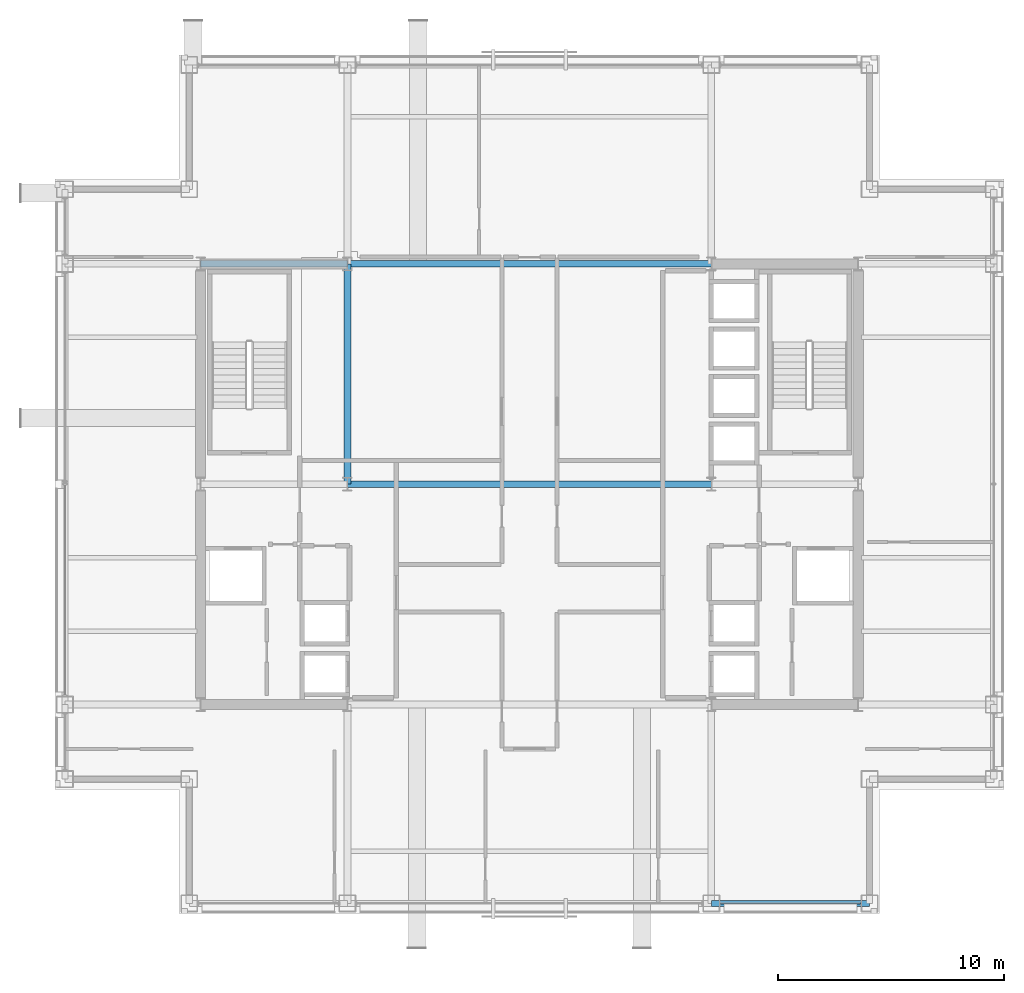
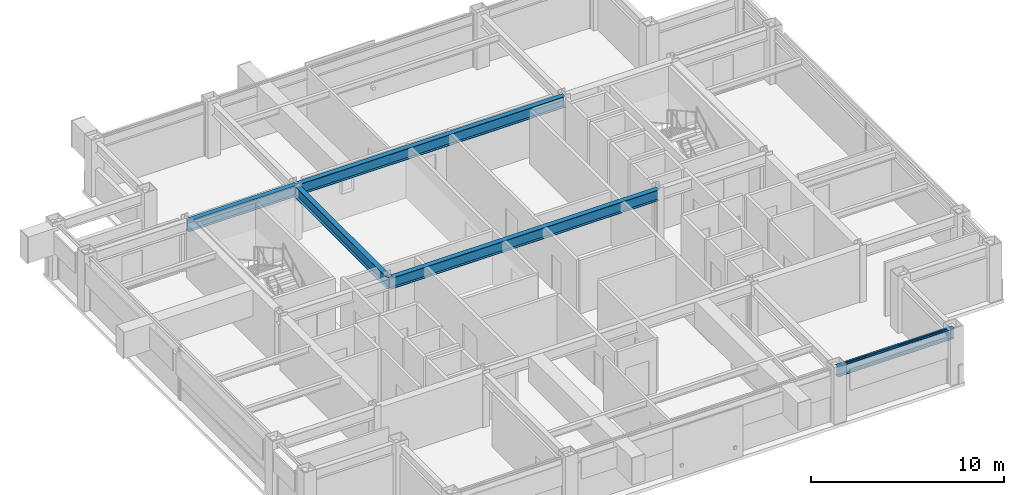
# One storey, part 10 of 28: 5 beams, 1 member, 1 element without a shape of its own.
"""IFC4 building model written with IfcOpenShell, lengths in metres."""

from ifc_helpers import new_model, si_unit, direction, frame, origin, origin_2d, place, context, subcontext, project, spatial, hollow_rectangle, i_section, extrude, material, layer, layer_set, material_profile, profile_set, type_object, element, aggregate, save


model = new_model("IFC4")

# Units and contexts
model_context = context("Model", 3, precision=1e-05, world=origin(), true_north=direction((0.0, 1.0)))
body_context = subcontext(model_context, "Body", "Model", "MODEL_VIEW")
ifc_project = project(units=[si_unit("LENGTHUNIT", "METRE"), si_unit("AREAUNIT", "SQUARE_METRE"), si_unit("VOLUMEUNIT", "CUBIC_METRE"), si_unit("PLANEANGLEUNIT", "RADIAN"), si_unit("MASSUNIT", "GRAM", prefix="KILO")], contexts=[model_context])

# Site, building, storey
site_placement = place(None, origin())
site = spatial("IfcSite", under=ifc_project, at=site_placement, CompositionType="ELEMENT")
building_placement = place(site_placement, origin())
building = spatial("IfcBuilding", under=site, at=building_placement, Name="Brelmoor Portico Tower", CompositionType="ELEMENT")
storey_placement = place(building_placement, frame((0.0, 0.0, 155.10009765625)))
storey = spatial("IfcBuildingStorey", under=building, at=storey_placement, Name="L40", CompositionType="ELEMENT", Elevation=155.10009765625)

# Beams
ifc_material_1 = material(Name="Steel Q355B", Category="steel")
ifc_material_profile_1 = material_profile(ifc_material_1, i_section(OverallWidth=0.300048828125, OverallDepth=0.699951171875, WebThickness=0.012939453125, FlangeThickness=0.02392578125, at=origin_2d()), Name="HN 700x300x13x24")
ifc_profile_set_1 = profile_set([ifc_material_profile_1], Name="Steel Q355B")
beam_type_1 = type_object("IfcBeamType", Name="BM-PG-700", PredefinedType="BEAM", material=ifc_profile_set_1)
beam_1_placement = place(storey_placement, frame((-8.050048828125, 0.0, 3.0498046875), z_axis=(0.0, 1.0, 0.0), x_axis=(-1.0, 0.0, 0.0)))
element("IfcBeam", 1, at=beam_1_placement, inside=storey, type_object=beam_type_1, Name="L40 Primary Floor Girder PG-04", PredefinedType="BEAM", context=body_context, shape_type="SweptSolid", body=[
    extrude(i_section(OverallWidth=0.300048828125, OverallDepth=0.699951171875, WebThickness=0.012939453125, FlangeThickness=0.02392578125, at=origin_2d()), origin(), (0.0, 0.0, 1.0), 9.75),
])
beam_2_placement = place(storey_placement, frame((-8.050048828125, 0.0, 3.0498046875), z_axis=(1.0, 0.0, 0.0), x_axis=(0.0, 1.0, 0.0)))
element("IfcBeam", 2, at=beam_2_placement, inside=storey, type_object=beam_type_1, Name="L40 Primary Floor Girder PG-16", PredefinedType="BEAM", context=body_context, shape_type="SweptSolid", body=[
    extrude(i_section(OverallWidth=0.300048828125, OverallDepth=0.699951171875, WebThickness=0.012939453125, FlangeThickness=0.02392578125, at=origin_2d()), origin(), (0.0, 0.0, 1.0), 16.10009765625),
])
beam_3_placement = place(storey_placement, frame((-14.550048828125, 9.75, 3.0498046875), z_axis=(1.0, 0.0, 0.0), x_axis=(0.0, 1.0, 0.0)))
element("IfcBeam", 3, at=beam_3_placement, inside=storey, type_object=beam_type_1, Name="L40 Primary Floor Girder PG-19", PredefinedType="BEAM", context=body_context, shape_type="SweptSolid", body=[
    extrude(i_section(OverallWidth=0.300048828125, OverallDepth=0.699951171875, WebThickness=0.012939453125, FlangeThickness=0.02392578125, at=origin_2d()), origin(), (0.0, 0.0, 1.0), 6.5),
])
beam_4_placement = place(storey_placement, frame((-8.050048828125, 9.75, 3.0498046875), z_axis=(1.0, 0.0, 0.0), x_axis=(0.0, 1.0, 0.0)))
element("IfcBeam", 4, at=beam_4_placement, inside=storey, type_object=beam_type_1, Name="L40 Primary Floor Girder PG-20", PredefinedType="BEAM", context=body_context, shape_type="SweptSolid", body=[
    extrude(i_section(OverallWidth=0.300048828125, OverallDepth=0.699951171875, WebThickness=0.012939453125, FlangeThickness=0.02392578125, at=origin_2d()), origin(), (0.0, 0.0, 1.0), 16.10009765625),
])
ifc_material_profile_2 = material_profile(ifc_material_1, i_section(OverallWidth=0.280029296875, OverallDepth=0.64990234375, WebThickness=0.012939453125, FlangeThickness=0.02197265625, at=origin_2d()), Name="HN 650x280x13x22")
ifc_profile_set_2 = profile_set([ifc_material_profile_2], Name="Steel Q355B")
beam_type_2 = type_object("IfcBeamType", Name="BM-SP-650", PredefinedType="SPANDREL", material=ifc_profile_set_2)
beam_5_placement = place(storey_placement, frame((8.050048828125, -18.550048828125, 3.074951171875), z_axis=(1.0, 0.0, 0.0), x_axis=(0.0, 1.0, 0.0)))
element("IfcBeam", 5, at=beam_5_placement, inside=storey, type_object=beam_type_2, Name="L40 Perimeter Spandrel Beam SP-03", PredefinedType="SPANDREL", context=body_context, shape_type="SweptSolid", body=[
    extrude(i_section(OverallWidth=0.280029296875, OverallDepth=0.64990234375, WebThickness=0.012939453125, FlangeThickness=0.02197265625, at=origin_2d()), origin(), (0.0, 0.0, 1.0), 7.0),
])

# Curtain wall, member
ifc_material_2 = material(Name="Anodised Aluminium Alloy 6063-T6", Category="aluminium")
ifc_layer = layer(ifc_material_2, 0.179931640625)
ifc_layer_set = layer_set([ifc_layer], Name="Anodised Aluminium Alloy 6063-T6")
curtain_wall_type = type_object("IfcCurtainWallType", Name="CW-TOWER-Z3-XB", PredefinedType="NOTDEFINED", material=ifc_layer_set)
curtain_wall_placement = place(storey_placement, origin())
curtain_wall = element("IfcCurtainWall", 6, at=curtain_wall_placement, inside=storey, type_object=curtain_wall_type, Name="L40 Curtain Wall CW-L40-01-3", PredefinedType="NOTDEFINED")
ifc_material_profile_3 = material_profile(ifc_material_2, hollow_rectangle(XDim=0.06005859375, YDim=0.125, WallThickness=0.00341796875, at=origin_2d()), Name="ALU TRANSOM 60x125")
ifc_profile_set_3 = profile_set([ifc_material_profile_3], Name="Anodised Aluminium Alloy 6063-T6")
member_type = type_object("IfcMemberType", Name="MB-CW-TRAN-125", PredefinedType="USERDEFINED", material=ifc_profile_set_3)
member_placement = place(storey_placement, frame((8.43505859375, -18.550048828125, 3.33740234375), z_axis=(1.0, 0.0, 0.0), x_axis=(0.0, 1.0, 0.0)))
member = element("IfcMember", 7, at=member_placement, type_object=member_type, Name="CW-L40-01-3 Transom 1-00", ObjectType="TRANSOM", PredefinedType="USERDEFINED", context=body_context, shape_type="SweptSolid", body=[
    extrude(hollow_rectangle(XDim=0.06005859375, YDim=0.125, WallThickness=0.00341796875, at=origin_2d()), origin(), (0.0, 0.0, 1.0), 6.22998046875),
])
aggregate(curtain_wall, [member])

save(model, "model.ifc")
